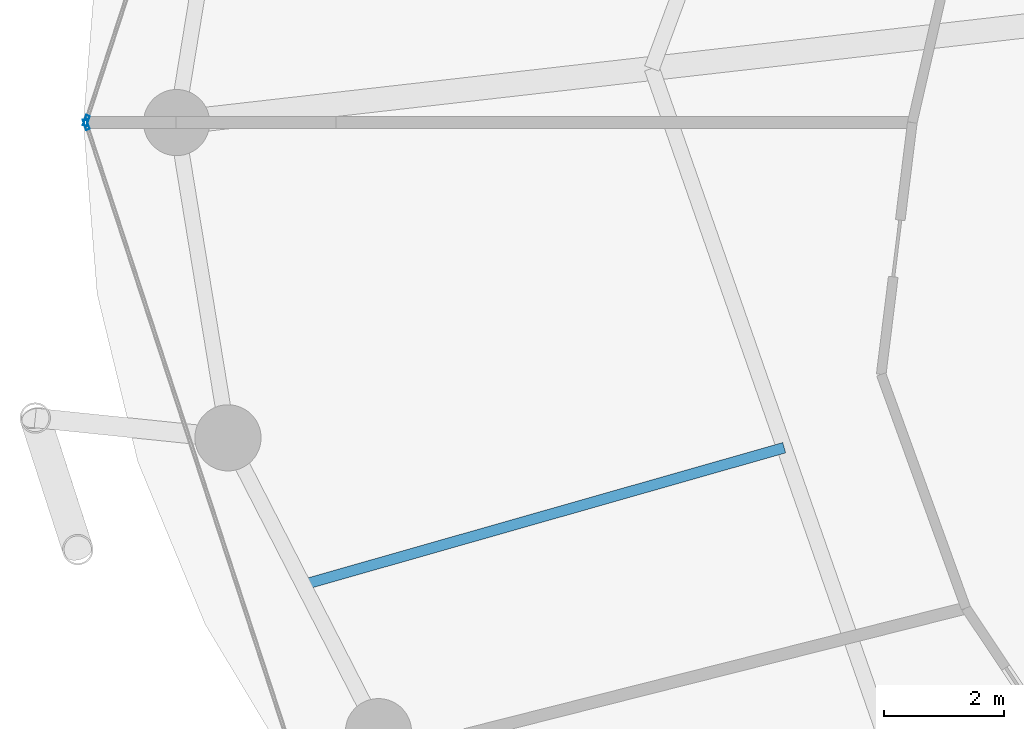
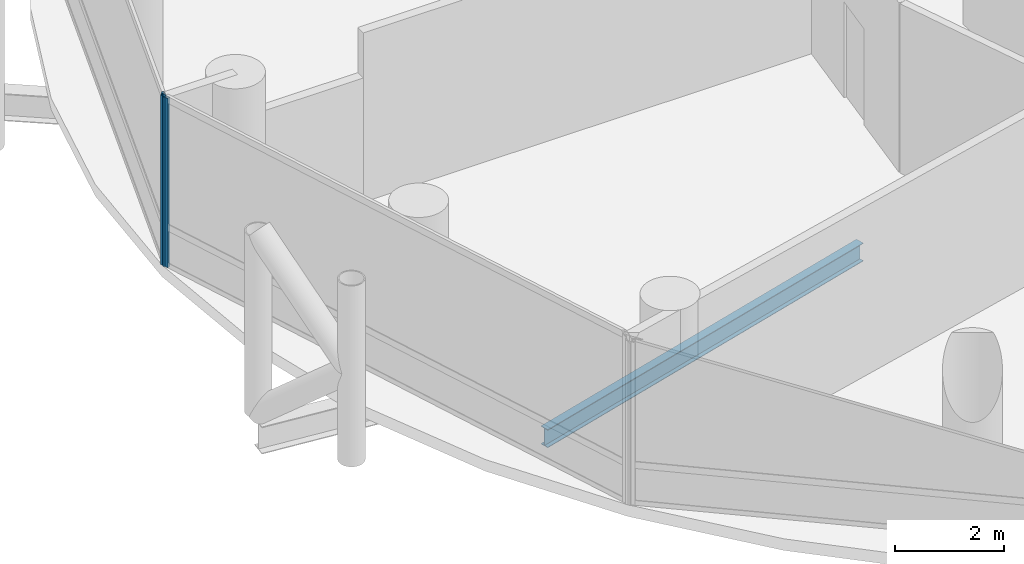
# One storey, part 6 of 24: 2 members, 1 beam, 2 elements without a shape of their own.
"""IFC4 building model written with IfcOpenShell, lengths in metres."""

import ifcopenshell
import ifcopenshell.guid

model = None  # the IFC model being written
_history = None  # IfcOwnerHistory: only IFC2X3 demands one
_inside = {}  # id of a spatial element -> (the spatial element, [elements in it])
_under = {}  # id of a project, library or spatial element -> (it, [spatial elements below it])
_declared = {}  # id of a project -> (the project, [libraries it declares])
_typed = {}  # id of a type object -> (the type object, [elements of that type])
_made_of = {}  # id of a material, layer set ... -> (it, [elements and type objects made of it])


def new_model(schema):
    """Start an empty IFC model of exactly this schema.

    Asked for "IFC4X3", IfcOpenShell would pick the latest addendum, in which some entities
    have other attributes; the version numbers below select the first issue.
    IFC2X3 requires an IfcOwnerHistory on every rooted entity: one is made here for all.
    """
    global model, _history
    if schema == "IFC4X3":
        model = ifcopenshell.file(schema_version=(4, 3, 0, 0))
    else:
        model = ifcopenshell.file(schema=schema)
    _inside.clear()
    _under.clear()
    _declared.clear()
    _typed.clear()
    _made_of.clear()
    _history = None
    if model.schema == "IFC2X3":
        org = make("IfcOrganization", Name="unknown")
        user = make(
            "IfcPersonAndOrganization",
            ThePerson=make("IfcPerson", FamilyName="unknown"),
            TheOrganization=org,
        )
        app = make(
            "IfcApplication",
            ApplicationDeveloper=org,
            Version="unknown",
            ApplicationFullName="unknown",
            ApplicationIdentifier="unknown",
        )
        _history = make(
            "IfcOwnerHistory",
            OwningUser=user,
            OwningApplication=app,
            ChangeAction="ADDED",
            CreationDate=0,
        )
    return model


def make(cls, **values):
    """One entity of the class cls with the attributes given. An attribute that is None is left unset."""
    return model.create_entity(
        cls, **{name: value for name, value in values.items() if value is not None}
    )


def rooted(cls, **values):
    """An entity with a GlobalId (a new one), such as an element, a storey or a relation."""
    return make(cls, GlobalId=ifcopenshell.guid.new(), OwnerHistory=_history, **values)


def si_unit(unit_type, name, prefix=None):
    """IfcSIUnit, for example si_unit("LENGTHUNIT", "METRE", prefix="MILLI")."""
    return make("IfcSIUnit", UnitType=unit_type, Prefix=prefix, Name=name)


def assignment(units):
    """IfcUnitAssignment: the units of a project."""
    return None if units is None else make("IfcUnitAssignment", Units=units)


def point(xyz):
    """IfcCartesianPoint."""
    return None if xyz is None else make("IfcCartesianPoint", Coordinates=xyz)


def direction(xyz):
    """IfcDirection."""
    return None if xyz is None else make("IfcDirection", DirectionRatios=xyz)


def frame(location, z_axis=None, x_axis=None):
    """IfcAxis2Placement3D, a coordinate frame: its origin and axes. An axis left out is left unset."""
    return make(
        "IfcAxis2Placement3D",
        Location=point(location),
        Axis=direction(z_axis),
        RefDirection=direction(x_axis),
    )


def frame_2d(location, x_axis=None):
    """IfcAxis2Placement2D, a coordinate frame in the plane: its origin and x axis."""
    return make(
        "IfcAxis2Placement2D", Location=point(location), RefDirection=direction(x_axis)
    )


def origin():
    """The frame at (0, 0, 0) with its axes left unset."""
    return frame((0.0, 0.0, 0.0))


def origin_2d():
    """The frame at (0, 0) in the plane with its x axis left unset."""
    return frame_2d((0.0, 0.0))


def place(relative_to, where):
    """IfcLocalPlacement: puts the frame where relative to a parent placement (None: the world)."""
    return make(
        "IfcLocalPlacement", PlacementRelTo=relative_to, RelativePlacement=where
    )


def context(
    kind, dimensions, precision=None, world=None, true_north=None, identifier=None
):
    """IfcGeometricRepresentationContext, for example the 3D "Model" context."""
    return make(
        "IfcGeometricRepresentationContext",
        ContextIdentifier=identifier,
        ContextType=kind,
        CoordinateSpaceDimension=dimensions,
        Precision=precision,
        WorldCoordinateSystem=world,
        TrueNorth=true_north,
    )


def subcontext(parent, identifier, kind, view, scale=None):
    """IfcGeometricRepresentationSubContext, for example "Body" below "Model"."""
    return make(
        "IfcGeometricRepresentationSubContext",
        ContextIdentifier=identifier,
        ContextType=kind,
        ParentContext=parent,
        TargetScale=scale,
        TargetView=view,
    )


def project(units=None, contexts=None):
    """IfcProject with its units and contexts."""
    return rooted(
        "IfcProject",
        Name="project",
        RepresentationContexts=contexts,
        UnitsInContext=assignment(units),
    )


def spatial(cls, under=None, at=None, **own):
    """A site, building, storey or space (cls), placed at a placement, below another one or the project."""
    s = rooted(cls, ObjectPlacement=at, **own)
    if under is not None:
        _under.setdefault(under.id(), (under, []))[1].append(s)
    return s


def profile(cls, at=None, kind="AREA", **sizes):
    """A parametric profile (cls). Its sizes go by their IFC names, for example OverallWidth=200.0."""
    return make(cls, ProfileType=kind, Position=at, **sizes)


def hollow_rectangle(**sizes):
    """IfcRectangleHollowProfileDef."""
    return profile("IfcRectangleHollowProfileDef", **sizes)


def i_section(**sizes):
    """IfcIShapeProfileDef."""
    return profile("IfcIShapeProfileDef", **sizes)


def extrude(swept, where, along, depth):
    """IfcExtrudedAreaSolid: the profile swept, set in the frame where, extruded along a direction by depth."""
    return make(
        "IfcExtrudedAreaSolid",
        SweptArea=swept,
        Position=where,
        ExtrudedDirection=direction(along),
        Depth=depth,
    )


def shape(context_of_items, identifier, shape_type, items):
    """IfcShapeRepresentation: the items that make up one representation, for example the "Body"."""
    return make(
        "IfcShapeRepresentation",
        ContextOfItems=context_of_items,
        RepresentationIdentifier=identifier,
        RepresentationType=shape_type,
        Items=items,
    )


def material(Name=None, Category=None):
    """IfcMaterial."""
    return make("IfcMaterial", Name=Name, Category=Category)


def layer(
    of_material, thickness, ventilated=None, Name=None, Category=None, Priority=None
):
    """IfcMaterialLayer: one layer of a wall or slab, of a material (None: an air gap)."""
    return make(
        "IfcMaterialLayer",
        Material=of_material,
        LayerThickness=thickness,
        IsVentilated=ventilated,
        Name=Name,
        Category=Category,
        Priority=Priority,
    )


def layer_set(layers, Name=None):
    """IfcMaterialLayerSet."""
    return make("IfcMaterialLayerSet", MaterialLayers=layers, LayerSetName=Name)


def material_profile(
    of_material, cross_section, Name=None, Category=None, Priority=None
):
    """IfcMaterialProfile: a cross section and its material."""
    return make(
        "IfcMaterialProfile",
        Name=Name,
        Material=of_material,
        Profile=cross_section,
        Priority=Priority,
        Category=Category,
    )


def profile_set(profiles, Name=None, composite=None):
    """IfcMaterialProfileSet."""
    return make(
        "IfcMaterialProfileSet",
        Name=Name,
        MaterialProfiles=profiles,
        CompositeProfile=composite,
    )


def made_of(thing, what):
    """Note that an element or type object is made of a material, layer set ...; save() writes the relation."""
    if what is not None:
        _made_of.setdefault(what.id(), (what, []))[1].append(thing)
    return thing


def type_object(cls, material=None, **own):
    """A type object (cls), such as IfcWallType, which elements share."""
    return made_of(rooted(cls, **own), material)


def element(
    cls,
    number,
    at=None,
    inside=None,
    cuts=None,
    type_object=None,
    material=None,
    context=None,
    identifier="Body",
    shape_type=None,
    held_by="IfcProductDefinitionShape",
    body=None,
    shapes=None,
    **own,
):
    """One element of the class cls, such as IfcWall. Its Tag is "e" and its number.

    at: its placement. inside: the storey or other place that contains it. cuts: it is an
    opening in that element (IfcRelVoidsElement). A single representation is given by context,
    identifier, shape_type and body (its items); several are given by shapes. held_by: the class
    of the entity that holds the representations. save() writes the other relations.
    """
    e = rooted(cls, Tag="e%d" % number, ObjectPlacement=at, **own)
    if body is not None:
        shapes = [shape(context, identifier, shape_type, body)]
    if shapes is not None:
        e.Representation = make(held_by, Representations=shapes)
    if inside is not None:
        _inside.setdefault(inside.id(), (inside, []))[1].append(e)
    if cuts is not None:
        rooted(
            "IfcRelVoidsElement", RelatingBuildingElement=cuts, RelatedOpeningElement=e
        )
    if type_object is not None:
        _typed.setdefault(type_object.id(), (type_object, []))[1].append(e)
    return made_of(e, material)


def aggregate(whole, parts):
    """IfcRelAggregates: a whole, such as a stair, and the parts it consists of."""
    return rooted("IfcRelAggregates", RelatingObject=whole, RelatedObjects=parts)


def save(model, path):
    """Write the relations noted so far, then the file.

    IfcRelAggregates (storeys below a building ...), IfcRelContainedInSpatialStructure (elements
    in a storey), IfcRelDefinesByType, IfcRelAssociatesMaterial and IfcRelDeclares: one each for
    every whole, place, type object, material and project.
    """
    for whole, parts in _under.values():
        aggregate(whole, parts)
    for where, things in _inside.values():
        rooted(
            "IfcRelContainedInSpatialStructure",
            RelatedElements=things,
            RelatingStructure=where,
        )
    for kind, things in _typed.values():
        rooted("IfcRelDefinesByType", RelatedObjects=things, RelatingType=kind)
    for what, things in _made_of.values():
        rooted("IfcRelAssociatesMaterial", RelatedObjects=things, RelatingMaterial=what)
    for by, libraries in _declared.values():
        rooted("IfcRelDeclares", RelatingContext=by, RelatedDefinitions=libraries)
    model.write(path)


model = new_model("IFC4")

# Units and contexts
model_context = context("Model", 3, precision=1e-05, world=origin(), true_north=direction((0.0, 1.0)))
body_context = subcontext(model_context, "Body", "Model", "MODEL_VIEW")
ifc_project = project(units=[si_unit("LENGTHUNIT", "METRE"), si_unit("AREAUNIT", "SQUARE_METRE"), si_unit("VOLUMEUNIT", "CUBIC_METRE"), si_unit("PLANEANGLEUNIT", "RADIAN"), si_unit("MASSUNIT", "GRAM", prefix="KILO")], contexts=[model_context])

# Site, building, storey
site_placement = place(None, origin())
site = spatial("IfcSite", under=ifc_project, at=site_placement, CompositionType="ELEMENT")
building_placement = place(site_placement, origin())
building = spatial("IfcBuilding", under=site, at=building_placement, Name="Nuhasar Tower", CompositionType="ELEMENT")
storey_placement = place(building_placement, frame((0.0, 0.0, 29.10009765625)))
storey = spatial("IfcBuildingStorey", under=building, at=storey_placement, Name="L06", CompositionType="ELEMENT", Elevation=29.10009765625)

# Beam
ifc_material_1 = material(Name="Steel S355", Category="steel")
ifc_material_profile_1 = material_profile(ifc_material_1, i_section(OverallWidth=0.177978515625, OverallDepth=0.406005859375, WebThickness=0.0078125, FlangeThickness=0.0126953125, at=origin_2d()), Name="W16X40")
ifc_profile_set_1 = profile_set([ifc_material_profile_1], Name="Steel S355")
beam_type = type_object("IfcBeamType", Name="BM-JST-W16X40", PredefinedType="JOIST", material=ifc_profile_set_1)
beam_placement = place(storey_placement, frame((24.051025390625, 21.39501953125, -0.463134765625), z_axis=(-0.961730884496, -0.273995813484, 0.0), x_axis=(0.273995813484, -0.961730884496, 0.0)))
element("IfcBeam", 1, at=beam_placement, inside=storey, type_object=beam_type, Name="L06 Secondary Floor Joist 08", PredefinedType="JOIST", context=body_context, shape_type="SweptSolid", body=[
    extrude(i_section(OverallWidth=0.177978515625, OverallDepth=0.406005859375, WebThickness=0.0078125, FlangeThickness=0.0126953125, at=origin_2d()), origin(), (0.0, 0.0, 1.0), 8.314208984375),
])

# Curtain wall, member
ifc_material_2 = material(Name="Aluminium 6063-T6", Category="aluminium")
ifc_layer = layer(ifc_material_2, 0.199951171875)
ifc_layer_set = layer_set([ifc_layer], Name="Aluminium 6063-T6")
curtain_wall_type = type_object("IfcCurtainWallType", Name="CW-Z1-OFF", PredefinedType="NOTDEFINED", material=ifc_layer_set)
curtain_wall_1_placement = place(storey_placement, origin())
curtain_wall_1 = element("IfcCurtainWall", 2, at=curtain_wall_1_placement, inside=storey, type_object=curtain_wall_type, Name="L06 Unitised Curtain Wall 06", PredefinedType="NOTDEFINED")
ifc_material_profile_2 = material_profile(ifc_material_2, hollow_rectangle(XDim=0.06494140625, YDim=0.179931640625, WallThickness=0.0048828125, at=origin_2d()), Name="CWM-2")
ifc_profile_set_2 = profile_set([ifc_material_profile_2], Name="Aluminium 6063-T6")
member_type = type_object("IfcMemberType", Name="CW-MUL-S2", PredefinedType="MULLION", material=ifc_profile_set_2)
member_1_placement = place(storey_placement, frame((12.4501953125, 26.830810546875, 0.0), z_axis=(0.0, 0.0, 1.0), x_axis=(0.950467534571, -0.310823849997, 0.0)))
member_1 = element("IfcMember", 3, at=member_1_placement, type_object=member_type, Name="CW-Z1 mullion 2", PredefinedType="MULLION", context=body_context, shape_type="SweptSolid", body=[
    extrude(hollow_rectangle(XDim=0.06494140625, YDim=0.179931640625, WallThickness=0.0048828125, at=origin_2d()), origin(), (0.0, 0.0, 1.0), 3.789794921875),
])
aggregate(curtain_wall_1, [member_1])

curtain_wall_2_placement = place(storey_placement, origin())
curtain_wall_2 = element("IfcCurtainWall", 4, at=curtain_wall_2_placement, inside=storey, type_object=curtain_wall_type, Name="L06 Unitised Curtain Wall 07", PredefinedType="NOTDEFINED")
member_2_placement = place(storey_placement, frame((12.4501953125, 26.76904296875, 0.0), z_axis=(0.0, 0.0, 1.0), x_axis=(0.950467534571, 0.310823849997, 0.0)))
member_2 = element("IfcMember", 5, at=member_2_placement, type_object=member_type, Name="CW-Z1 mullion 1", PredefinedType="MULLION", context=body_context, shape_type="SweptSolid", body=[
    extrude(hollow_rectangle(XDim=0.06494140625, YDim=0.179931640625, WallThickness=0.0048828125, at=origin_2d()), origin(), (0.0, 0.0, 1.0), 3.789794921875),
])
aggregate(curtain_wall_2, [member_2])

save(model, "model.ifc")
